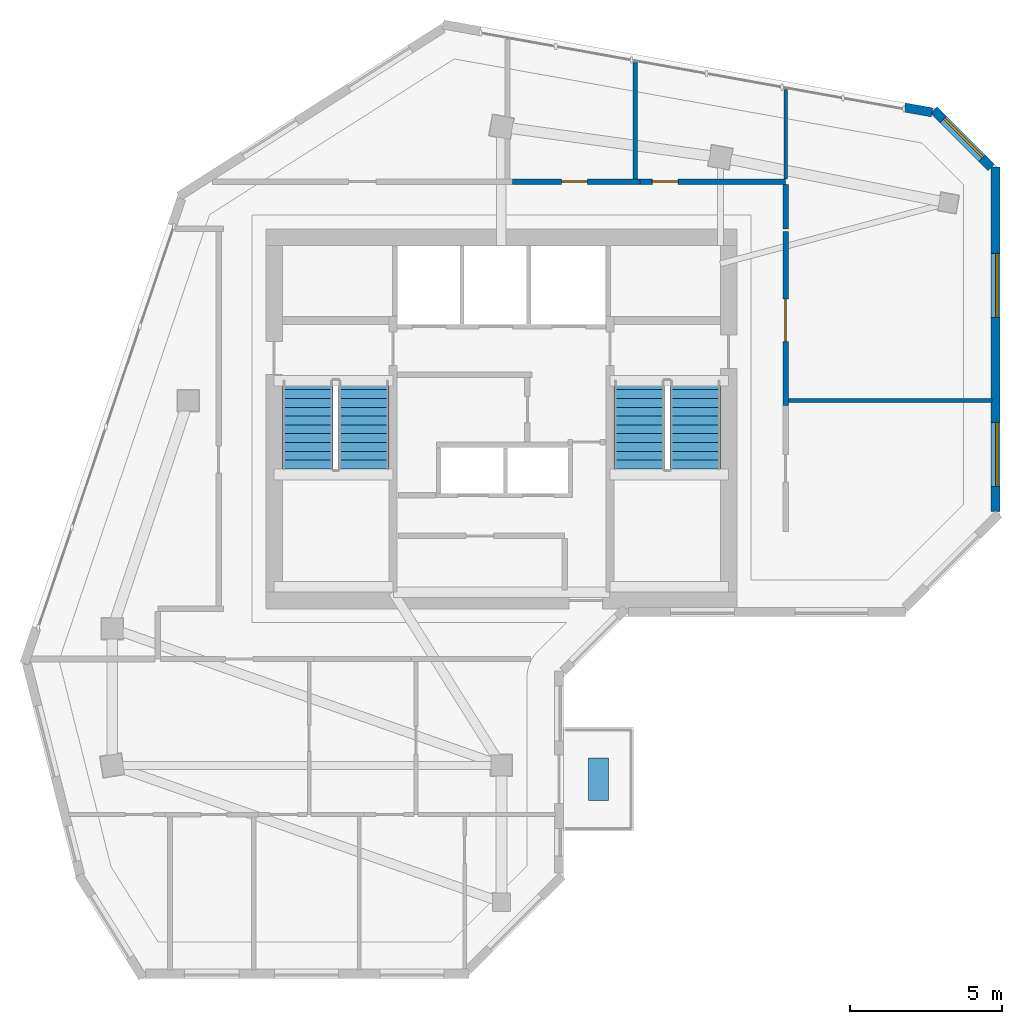
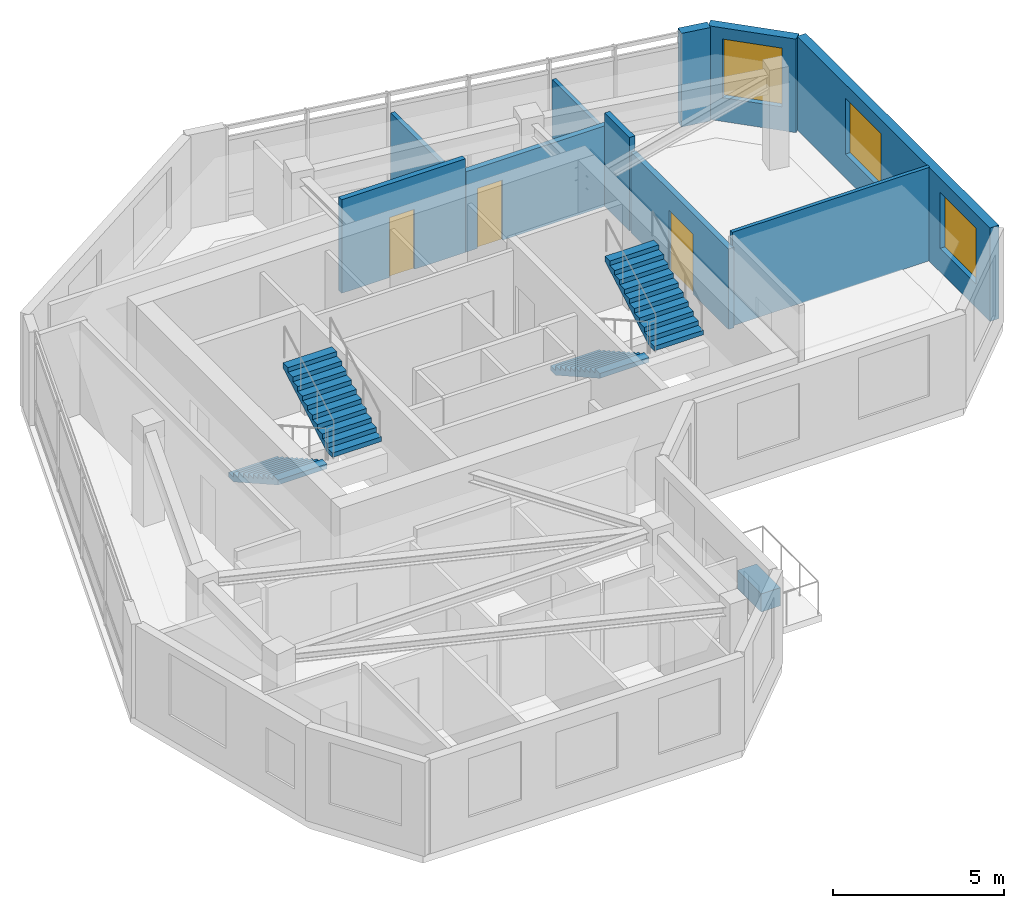
# One storey, part 5 of 7: 10 walls, 4 stair flights, 3 doors, 3 windows, 1 discrete accessory, 6 openings, 2 elements without a shape of their own.
"""IFC4 building model written with IfcOpenShell, lengths in metres."""

import ifcopenshell
import ifcopenshell.guid

model = None  # the IFC model being written
_history = None  # IfcOwnerHistory: only IFC2X3 demands one
_inside = {}  # id of a spatial element -> (the spatial element, [elements in it])
_under = {}  # id of a project, library or spatial element -> (it, [spatial elements below it])
_declared = {}  # id of a project -> (the project, [libraries it declares])
_typed = {}  # id of a type object -> (the type object, [elements of that type])
_made_of = {}  # id of a material, layer set ... -> (it, [elements and type objects made of it])


def new_model(schema):
    """Start an empty IFC model of exactly this schema.

    Asked for "IFC4X3", IfcOpenShell would pick the latest addendum, in which some entities
    have other attributes; the version numbers below select the first issue.
    IFC2X3 requires an IfcOwnerHistory on every rooted entity: one is made here for all.
    """
    global model, _history
    if schema == "IFC4X3":
        model = ifcopenshell.file(schema_version=(4, 3, 0, 0))
    else:
        model = ifcopenshell.file(schema=schema)
    _inside.clear()
    _under.clear()
    _declared.clear()
    _typed.clear()
    _made_of.clear()
    _history = None
    if model.schema == "IFC2X3":
        org = make("IfcOrganization", Name="unknown")
        user = make(
            "IfcPersonAndOrganization",
            ThePerson=make("IfcPerson", FamilyName="unknown"),
            TheOrganization=org,
        )
        app = make(
            "IfcApplication",
            ApplicationDeveloper=org,
            Version="unknown",
            ApplicationFullName="unknown",
            ApplicationIdentifier="unknown",
        )
        _history = make(
            "IfcOwnerHistory",
            OwningUser=user,
            OwningApplication=app,
            ChangeAction="ADDED",
            CreationDate=0,
        )
    return model


def make(cls, **values):
    """One entity of the class cls with the attributes given. An attribute that is None is left unset."""
    return model.create_entity(
        cls, **{name: value for name, value in values.items() if value is not None}
    )


def rooted(cls, **values):
    """An entity with a GlobalId (a new one), such as an element, a storey or a relation."""
    return make(cls, GlobalId=ifcopenshell.guid.new(), OwnerHistory=_history, **values)


def si_unit(unit_type, name, prefix=None):
    """IfcSIUnit, for example si_unit("LENGTHUNIT", "METRE", prefix="MILLI")."""
    return make("IfcSIUnit", UnitType=unit_type, Prefix=prefix, Name=name)


def assignment(units):
    """IfcUnitAssignment: the units of a project."""
    return None if units is None else make("IfcUnitAssignment", Units=units)


def point(xyz):
    """IfcCartesianPoint."""
    return None if xyz is None else make("IfcCartesianPoint", Coordinates=xyz)


def direction(xyz):
    """IfcDirection."""
    return None if xyz is None else make("IfcDirection", DirectionRatios=xyz)


def frame(location, z_axis=None, x_axis=None):
    """IfcAxis2Placement3D, a coordinate frame: its origin and axes. An axis left out is left unset."""
    return make(
        "IfcAxis2Placement3D",
        Location=point(location),
        Axis=direction(z_axis),
        RefDirection=direction(x_axis),
    )


def frame_2d(location, x_axis=None):
    """IfcAxis2Placement2D, a coordinate frame in the plane: its origin and x axis."""
    return make(
        "IfcAxis2Placement2D", Location=point(location), RefDirection=direction(x_axis)
    )


def origin():
    """The frame at (0, 0, 0) with its axes left unset."""
    return frame((0.0, 0.0, 0.0))


def origin_2d():
    """The frame at (0, 0) in the plane with its x axis left unset."""
    return frame_2d((0.0, 0.0))


def place(relative_to, where):
    """IfcLocalPlacement: puts the frame where relative to a parent placement (None: the world)."""
    return make(
        "IfcLocalPlacement", PlacementRelTo=relative_to, RelativePlacement=where
    )


def context(
    kind, dimensions, precision=None, world=None, true_north=None, identifier=None
):
    """IfcGeometricRepresentationContext, for example the 3D "Model" context."""
    return make(
        "IfcGeometricRepresentationContext",
        ContextIdentifier=identifier,
        ContextType=kind,
        CoordinateSpaceDimension=dimensions,
        Precision=precision,
        WorldCoordinateSystem=world,
        TrueNorth=true_north,
    )


def subcontext(parent, identifier, kind, view, scale=None):
    """IfcGeometricRepresentationSubContext, for example "Body" below "Model"."""
    return make(
        "IfcGeometricRepresentationSubContext",
        ContextIdentifier=identifier,
        ContextType=kind,
        ParentContext=parent,
        TargetScale=scale,
        TargetView=view,
    )


def project(units=None, contexts=None):
    """IfcProject with its units and contexts."""
    return rooted(
        "IfcProject",
        Name="project",
        RepresentationContexts=contexts,
        UnitsInContext=assignment(units),
    )


def spatial(cls, under=None, at=None, **own):
    """A site, building, storey or space (cls), placed at a placement, below another one or the project."""
    s = rooted(cls, ObjectPlacement=at, **own)
    if under is not None:
        _under.setdefault(under.id(), (under, []))[1].append(s)
    return s


def polyline(points):
    """IfcPolyline through the points."""
    return make("IfcPolyline", Points=[point(p) for p in points])


def profile(cls, at=None, kind="AREA", **sizes):
    """A parametric profile (cls). Its sizes go by their IFC names, for example OverallWidth=200.0."""
    return make(cls, ProfileType=kind, Position=at, **sizes)


def rectangle(**sizes):
    """IfcRectangleProfileDef."""
    return profile("IfcRectangleProfileDef", **sizes)


def outline(outer, holes=None, kind="AREA"):
    """IfcArbitraryClosedProfileDef: a profile drawn as a closed curve; with holes, ...WithVoids."""
    if holes is None:
        return make("IfcArbitraryClosedProfileDef", ProfileType=kind, OuterCurve=outer)
    return make(
        "IfcArbitraryProfileDefWithVoids",
        ProfileType=kind,
        OuterCurve=outer,
        InnerCurves=holes,
    )


def extrude(swept, where, along, depth):
    """IfcExtrudedAreaSolid: the profile swept, set in the frame where, extruded along a direction by depth."""
    return make(
        "IfcExtrudedAreaSolid",
        SweptArea=swept,
        Position=where,
        ExtrudedDirection=direction(along),
        Depth=depth,
    )


def shape(context_of_items, identifier, shape_type, items):
    """IfcShapeRepresentation: the items that make up one representation, for example the "Body"."""
    return make(
        "IfcShapeRepresentation",
        ContextOfItems=context_of_items,
        RepresentationIdentifier=identifier,
        RepresentationType=shape_type,
        Items=items,
    )


def source(mapping_origin, context_of_items, identifier, shape_type, items):
    """IfcRepresentationMap: a shape defined once, which mapped items show again and again."""
    return make(
        "IfcRepresentationMap",
        MappingOrigin=mapping_origin,
        MappedRepresentation=shape(context_of_items, identifier, shape_type, items),
    )


def transform(
    local_origin,
    x_axis=None,
    y_axis=None,
    z_axis=None,
    scale=None,
    scale2=None,
    scale3=None,
    uniform=True,
):
    """IfcCartesianTransformationOperator3D, or its non-uniform kind. x_axis, y_axis, z_axis: its Axis1, 2, 3."""
    if uniform:
        return make(
            "IfcCartesianTransformationOperator3D",
            Axis1=direction(x_axis),
            Axis2=direction(y_axis),
            LocalOrigin=point(local_origin),
            Scale=scale,
            Axis3=direction(z_axis),
        )
    return make(
        "IfcCartesianTransformationOperator3DnonUniform",
        Axis1=direction(x_axis),
        Axis2=direction(y_axis),
        LocalOrigin=point(local_origin),
        Scale=scale,
        Axis3=direction(z_axis),
        Scale2=scale2,
        Scale3=scale3,
    )


def mapped(mapping_source, mapping_target):
    """IfcMappedItem: shows the shape of a source again, moved by a transform."""
    return make(
        "IfcMappedItem", MappingSource=mapping_source, MappingTarget=mapping_target
    )


def material(Name=None, Category=None):
    """IfcMaterial."""
    return make("IfcMaterial", Name=Name, Category=Category)


def layer(
    of_material, thickness, ventilated=None, Name=None, Category=None, Priority=None
):
    """IfcMaterialLayer: one layer of a wall or slab, of a material (None: an air gap)."""
    return make(
        "IfcMaterialLayer",
        Material=of_material,
        LayerThickness=thickness,
        IsVentilated=ventilated,
        Name=Name,
        Category=Category,
        Priority=Priority,
    )


def layer_set(layers, Name=None):
    """IfcMaterialLayerSet."""
    return make("IfcMaterialLayerSet", MaterialLayers=layers, LayerSetName=Name)


def made_of(thing, what):
    """Note that an element or type object is made of a material, layer set ...; save() writes the relation."""
    if what is not None:
        _made_of.setdefault(what.id(), (what, []))[1].append(thing)
    return thing


def type_object(cls, material=None, **own):
    """A type object (cls), such as IfcWallType, which elements share."""
    return made_of(rooted(cls, **own), material)


def element(
    cls,
    number,
    at=None,
    inside=None,
    cuts=None,
    type_object=None,
    material=None,
    context=None,
    identifier="Body",
    shape_type=None,
    held_by="IfcProductDefinitionShape",
    body=None,
    shapes=None,
    **own,
):
    """One element of the class cls, such as IfcWall. Its Tag is "e" and its number.

    at: its placement. inside: the storey or other place that contains it. cuts: it is an
    opening in that element (IfcRelVoidsElement). A single representation is given by context,
    identifier, shape_type and body (its items); several are given by shapes. held_by: the class
    of the entity that holds the representations. save() writes the other relations.
    """
    e = rooted(cls, Tag="e%d" % number, ObjectPlacement=at, **own)
    if body is not None:
        shapes = [shape(context, identifier, shape_type, body)]
    if shapes is not None:
        e.Representation = make(held_by, Representations=shapes)
    if inside is not None:
        _inside.setdefault(inside.id(), (inside, []))[1].append(e)
    if cuts is not None:
        rooted(
            "IfcRelVoidsElement", RelatingBuildingElement=cuts, RelatedOpeningElement=e
        )
    if type_object is not None:
        _typed.setdefault(type_object.id(), (type_object, []))[1].append(e)
    return made_of(e, material)


def fill(opening, filler):
    """IfcRelFillsElement: the door or window that sits in an opening."""
    return rooted(
        "IfcRelFillsElement",
        RelatingOpeningElement=opening,
        RelatedBuildingElement=filler,
    )


def aggregate(whole, parts):
    """IfcRelAggregates: a whole, such as a stair, and the parts it consists of."""
    return rooted("IfcRelAggregates", RelatingObject=whole, RelatedObjects=parts)


def save(model, path):
    """Write the relations noted so far, then the file.

    IfcRelAggregates (storeys below a building ...), IfcRelContainedInSpatialStructure (elements
    in a storey), IfcRelDefinesByType, IfcRelAssociatesMaterial and IfcRelDeclares: one each for
    every whole, place, type object, material and project.
    """
    for whole, parts in _under.values():
        aggregate(whole, parts)
    for where, things in _inside.values():
        rooted(
            "IfcRelContainedInSpatialStructure",
            RelatedElements=things,
            RelatingStructure=where,
        )
    for kind, things in _typed.values():
        rooted("IfcRelDefinesByType", RelatedObjects=things, RelatingType=kind)
    for what, things in _made_of.values():
        rooted("IfcRelAssociatesMaterial", RelatedObjects=things, RelatingMaterial=what)
    for by, libraries in _declared.values():
        rooted("IfcRelDeclares", RelatingContext=by, RelatedDefinitions=libraries)
    model.write(path)


model = new_model("IFC4")

# Units and contexts
model_context = context("Model", 3, precision=1e-05, world=origin(), true_north=direction((0.0, 1.0)))
body_context = subcontext(model_context, "Body", "Model", "MODEL_VIEW")
ifc_project = project(units=[si_unit("LENGTHUNIT", "METRE"), si_unit("AREAUNIT", "SQUARE_METRE"), si_unit("VOLUMEUNIT", "CUBIC_METRE"), si_unit("PLANEANGLEUNIT", "RADIAN"), si_unit("MASSUNIT", "GRAM", prefix="KILO")], contexts=[model_context])

# Site, building, storey
site_placement = place(None, origin())
site = spatial("IfcSite", under=ifc_project, at=site_placement, CompositionType="ELEMENT")
building_placement = place(site_placement, origin())
building = spatial("IfcBuilding", under=site, at=building_placement, Name="Calvemar Wedge Station Tower", CompositionType="ELEMENT")
storey_placement = place(building_placement, frame((0.0, 0.0, 285.300048828125)))
storey = spatial("IfcBuildingStorey", under=building, at=storey_placement, Name="L73", CompositionType="ELEMENT", Elevation=285.300048828125)

# Wall, opening, door
ifc_material_1 = material(Name="Double-stud fire-rated corridor partition")
ifc_layer_1 = layer(ifc_material_1, 0.179931640625)
ifc_layer_set_1 = layer_set([ifc_layer_1], Name="Double-stud fire-rated corridor partition")
wall_type_1 = type_object("IfcWallType", Name="W-CORR-180", PredefinedType="PARTITIONING", material=ifc_layer_set_1)
wall_1_placement = place(storey_placement, frame((24.162109375, 47.699951171875, 0.0), z_axis=(0.0, 0.0, 1.0), x_axis=(1.0, 0.0, 0.0)))
wall_1 = element("IfcWall", 1, at=wall_1_placement, inside=storey, type_object=wall_type_1, Name="Storey L73 Interior Partition WL-L73-015", PredefinedType="PARTITIONING", context=body_context, shape_type="SweptSolid", body=[
    extrude(rectangle(XDim=4.197998046875, YDim=0.179931640625, at=frame_2d((2.09912109375, 0.0))), origin(), (0.0, 0.0, 1.0), 3.349853515625),
])
shared_shape_1 = source(origin(), body_context, "Body", "SweptSolid", [
    extrude(rectangle(XDim=0.85009765625, YDim=2.14990234375, at=frame_2d((0.425048828125, 1.074951171875))), frame((0.0, 0.10009765625, 0.0), z_axis=(0.0, -1.0, 0.0), x_axis=(1.0, 0.0, 0.0)), (0.0, 0.0, 1.0), 0.199951171875),
])
opening_1_placement = place(wall_1_placement, frame((1.61328125, 0.0, 0.0)))
opening_1 = element("IfcOpeningElement", 2, at=opening_1_placement, cuts=wall_1, Name="Opening D-02", PredefinedType="OPENING", context=body_context, shape_type="MappedRepresentation", body=[
    mapped(shared_shape_1, transform((0.0, 0.0, 0.0), scale=1.0)),
])
ifc_material_2 = material(Name="Moisture-sealed bathroom hardwood swing door", Category="wood")
door_type_1 = type_object("IfcDoorType", Name="DR-WET-850", OperationType="NOTDEFINED", PredefinedType="DOOR", material=ifc_material_2)
shared_shape_2 = source(origin(), body_context, "Body", "SweptSolid", [
    extrude(rectangle(XDim=0.85009765625, YDim=2.14990234375, at=frame_2d((0.425048828125, 1.074951171875))), frame((0.0, 0.02490234375, 0.0), z_axis=(0.0, -1.0, 0.0), x_axis=(1.0, 0.0, 0.0)), (0.0, 0.0, 1.0), 0.050048828125),
])
door_1_placement = place(opening_1_placement, origin())
door_1 = element("IfcDoor", 3, at=door_1_placement, inside=storey, type_object=door_type_1, Name="L73 Accessible WC Door", OperationType="SINGLE_SWING_RIGHT", OverallHeight=2.14990234375, OverallWidth=0.85009765625, PredefinedType="DOOR", context=body_context, shape_type="MappedRepresentation", body=[
    mapped(shared_shape_2, transform((0.0, 0.0, 0.0), scale=1.0)),
])
fill(opening_1, door_1)

wall_2_placement = place(storey_placement, frame((28.362060546875, 47.699951171875, 0.0), z_axis=(0.0, 0.0, 1.0), x_axis=(1.0, 0.0, 0.0)))
wall_2 = element("IfcWall", 4, at=wall_2_placement, inside=storey, type_object=wall_type_1, Name="Storey L73 Interior Partition WL-L73-016", PredefinedType="PARTITIONING", context=body_context, shape_type="SweptSolid", body=[
    extrude(rectangle(XDim=4.787841796875, YDim=0.179931640625, at=frame_2d((2.39404296875, 0.0))), origin(), (0.0, 0.0, 1.0), 2.87890625),
])
opening_2_placement = place(wall_2_placement, frame((0.400634765625, 0.0, 0.0)))
opening_2 = element("IfcOpeningElement", 5, at=opening_2_placement, cuts=wall_2, Name="Opening D-02", PredefinedType="OPENING", context=body_context, shape_type="MappedRepresentation", body=[
    mapped(shared_shape_1, transform((0.0, 0.0, 0.0), scale=1.0)),
])
door_2_placement = place(opening_2_placement, origin())
door_2 = element("IfcDoor", 6, at=door_2_placement, inside=storey, type_object=door_type_1, Name="L73 Storage Room Door", OperationType="SINGLE_SWING_LEFT", OverallHeight=2.14990234375, OverallWidth=0.85009765625, PredefinedType="DOOR", context=body_context, shape_type="MappedRepresentation", body=[
    mapped(shared_shape_2, transform((0.0, 0.0, 0.0), scale=1.0)),
])
fill(opening_2, door_2)

# Wall
wall_3_placement = place(storey_placement, frame((33.14990234375, 47.60595703125, 0.0), z_axis=(0.0, 0.0, 1.0), x_axis=(0.0, -1.0, 0.0)))
element("IfcWall", 7, at=wall_3_placement, inside=storey, type_object=wall_type_1, Name="Storey L73 Interior Partition WL-L73-017", PredefinedType="PARTITIONING", context=body_context, shape_type="SweptSolid", body=[
    extrude(rectangle(XDim=1.4560546875, YDim=0.179931640625, at=frame_2d((0.72802734375, 0.0))), origin(), (0.0, 0.0, 1.0), 3.349853515625),
])

# Wall, opening, door
wall_4_placement = place(storey_placement, frame((33.14990234375, 46.055908203125, 0.0), z_axis=(0.0, 0.0, 1.0), x_axis=(0.0, -1.0, 0.0)))
wall_4 = element("IfcWall", 8, at=wall_4_placement, inside=storey, type_object=wall_type_1, Name="Storey L73 Interior Partition WL-L73-018", PredefinedType="PARTITIONING", context=body_context, shape_type="SweptSolid", body=[
    extrude(rectangle(XDim=5.7158203125, YDim=0.179931640625, at=frame_2d((2.85791015625, 0.0))), origin(), (0.0, 0.0, 1.0), 2.87890625),
])
shared_shape_3 = source(origin(), body_context, "Body", "SweptSolid", [
    extrude(rectangle(XDim=1.39990234375, YDim=2.14990234375, at=frame_2d((0.699951171875, 1.074951171875))), frame((0.0, 0.10009765625, 0.0), z_axis=(0.0, -1.0, 0.0), x_axis=(1.0, 0.0, 0.0)), (0.0, 0.0, 1.0), 0.199951171875),
])
opening_3_placement = place(wall_4_placement, frame((2.218505859375, 0.0, 0.0)))
opening_3 = element("IfcOpeningElement", 9, at=opening_3_placement, cuts=wall_4, Name="Opening DD-140", PredefinedType="OPENING", context=body_context, shape_type="MappedRepresentation", body=[
    mapped(shared_shape_3, transform((0.0, 0.0, 0.0), scale=1.0)),
])
ifc_material_3 = material(Name="Double-leaf corridor acoustic fire door EI 60")
door_type_2 = type_object("IfcDoorType", Name="DR-DBL-1400", OperationType="DOUBLE_DOOR_SINGLE_SWING", PredefinedType="DOOR", material=ifc_material_3)
shared_shape_4 = source(origin(), body_context, "Body", "SweptSolid", [
    extrude(rectangle(XDim=1.39990234375, YDim=2.14990234375, at=frame_2d((0.699951171875, 1.074951171875))), frame((0.0, 0.02490234375, 0.0), z_axis=(0.0, -1.0, 0.0), x_axis=(1.0, 0.0, 0.0)), (0.0, 0.0, 1.0), 0.050048828125),
])
door_3_placement = place(opening_3_placement, origin())
door_3 = element("IfcDoor", 10, at=door_3_placement, inside=storey, type_object=door_type_2, Name="L73 Observatory Wellness Lounge Door", OperationType="SINGLE_SWING_RIGHT", OverallHeight=2.14990234375, OverallWidth=1.39990234375, PredefinedType="DOOR", context=body_context, shape_type="MappedRepresentation", body=[
    mapped(shared_shape_4, transform((0.0, 0.0, 0.0), scale=1.0)),
])
fill(opening_3, door_3)

# Wall, openings, windows
ifc_material_4 = material(Name="Precast concrete C45", Category="concrete")
ifc_layer_2 = layer(ifc_material_4, 0.300048828125)
ifc_layer_set_2 = layer_set([ifc_layer_2], Name="Precast concrete C45")
wall_type_2 = type_object("IfcWallType", Name="W-EXT-GFRC-300", PredefinedType="SOLIDWALL", material=ifc_layer_set_2)
wall_5_placement = place(storey_placement, frame((40.050048828125, 36.857421875, 0.0), z_axis=(0.0, 0.0, 1.0), x_axis=(0.0, 1.0, 0.0)))
wall_5 = element("IfcWall", 11, at=wall_5_placement, inside=storey, type_object=wall_type_2, Name="Storey L73 Bronze GFRC Exterior Wall 8", PredefinedType="SOLIDWALL", context=body_context, shape_type="SweptSolid", body=[
    extrude(rectangle(XDim=11.318359375, YDim=0.300048828125, at=frame_2d((5.6591796875, 0.0))), origin(), (0.0, 0.0, 1.0), 3.349853515625),
])
shared_shape_5 = source(origin(), body_context, "Body", "SweptSolid", [
    extrude(rectangle(XDim=2.10009765625, YDim=2.0, at=frame_2d((1.050048828125, 1.0))), frame((0.0, 0.16015625, 0.0), z_axis=(0.0, -1.0, 0.0), x_axis=(1.0, 0.0, 0.0)), (0.0, 0.0, 1.0), 0.320068359375),
])
opening_4_placement = place(wall_5_placement, frame((0.821044921875, 0.0, 0.85009765625)))
opening_4 = element("IfcOpeningElement", 12, at=opening_4_placement, cuts=wall_5, Name="Opening W4", PredefinedType="OPENING", context=body_context, shape_type="MappedRepresentation", body=[
    mapped(shared_shape_5, transform((0.0, 0.0, 0.0), scale=1.0)),
])
opening_5_placement = place(wall_5_placement, frame((6.381103515625, 0.0, 0.85009765625)))
opening_5 = element("IfcOpeningElement", 13, at=opening_5_placement, cuts=wall_5, Name="Opening W4", PredefinedType="OPENING", context=body_context, shape_type="MappedRepresentation", body=[
    mapped(shared_shape_5, transform((0.0, 0.0, 0.0), scale=1.0)),
])
ifc_material_5 = material(Name="Low-E laminated insulated glass", Category="glass")
window_type_1 = type_object("IfcWindowType", Name="WIN-EXT-4", PartitioningType="SINGLE_PANEL", PredefinedType="WINDOW", material=ifc_material_5)
shared_shape_6 = source(origin(), body_context, "Body", "SweptSolid", [
    extrude(rectangle(XDim=2.10009765625, YDim=2.0, at=frame_2d((1.050048828125, 1.0))), frame((0.0, -0.014892578125, 0.0), z_axis=(0.0, -1.0, 0.0), x_axis=(1.0, 0.0, 0.0)), (0.0, 0.0, 1.0), 0.06005859375),
])
window_1_placement = place(opening_4_placement, origin())
window_1 = element("IfcWindow", 14, at=window_1_placement, inside=storey, type_object=window_type_1, Name="Storey L73 Recessed Window 8.1", OverallHeight=2.0, OverallWidth=2.10009765625, PartitioningType="SINGLE_PANEL", PredefinedType="WINDOW", context=body_context, shape_type="MappedRepresentation", body=[
    mapped(shared_shape_6, transform((0.0, 0.0, 0.0), scale=1.0)),
])
fill(opening_4, window_1)
window_2_placement = place(opening_5_placement, origin())
window_2 = element("IfcWindow", 15, at=window_2_placement, inside=storey, type_object=window_type_1, Name="Storey L73 Recessed Window 8.2", OverallHeight=2.0, OverallWidth=2.10009765625, PartitioningType="SINGLE_PANEL", PredefinedType="WINDOW", context=body_context, shape_type="MappedRepresentation", body=[
    mapped(shared_shape_6, transform((0.0, 0.0, 0.0), scale=1.0)),
])
fill(opening_5, window_2)

# Wall, opening, window
wall_6_placement = place(storey_placement, frame((39.912109375, 48.163818359375, 0.0), z_axis=(0.0, 0.0, 1.0), x_axis=(-0.70715242601, 0.707061133417, 0.0)))
wall_6 = element("IfcWall", 16, at=wall_6_placement, inside=storey, type_object=wall_type_2, Name="Storey L73 Bronze GFRC Exterior Wall 9", PredefinedType="SOLIDWALL", context=body_context, shape_type="SweptSolid", body=[
    extrude(rectangle(XDim=2.67431640625, YDim=0.300048828125, at=frame_2d((1.337158203125, 0.0))), origin(), (0.0, 0.0, 1.0), 3.349853515625),
])
shared_shape_7 = source(origin(), body_context, "Body", "SweptSolid", [
    extrude(rectangle(XDim=1.800048828125, YDim=2.10009765625, at=frame_2d((0.89990234375, 1.050048828125))), frame((0.0, 0.16015625, 0.0), z_axis=(0.0, -1.0, 0.0), x_axis=(1.0, 0.0, 0.0)), (0.0, 0.0, 1.0), 0.320068359375),
])
opening_6_placement = place(wall_6_placement, frame((0.43701171875, 0.0, 0.85009765625)))
opening_6 = element("IfcOpeningElement", 17, at=opening_6_placement, cuts=wall_6, Name="Opening W2", PredefinedType="OPENING", context=body_context, shape_type="MappedRepresentation", body=[
    mapped(shared_shape_7, transform((0.0, 0.0, 0.0), scale=1.0)),
])
window_type_2 = type_object("IfcWindowType", Name="WIN-EXT-2", PartitioningType="SINGLE_PANEL", PredefinedType="WINDOW", material=ifc_material_5)
shared_shape_8 = source(origin(), body_context, "Body", "SweptSolid", [
    extrude(rectangle(XDim=1.800048828125, YDim=2.10009765625, at=frame_2d((0.89990234375, 1.050048828125))), frame((0.0, -0.014892578125, 0.0), z_axis=(0.0, -1.0, 0.0), x_axis=(1.0, 0.0, 0.0)), (0.0, 0.0, 1.0), 0.06005859375),
])
window_3_placement = place(opening_6_placement, origin())
window_3 = element("IfcWindow", 18, at=window_3_placement, inside=storey, type_object=window_type_2, Name="Storey L73 Recessed Window 9.1", OverallHeight=2.10009765625, OverallWidth=1.800048828125, PartitioningType="SINGLE_PANEL", PredefinedType="WINDOW", context=body_context, shape_type="MappedRepresentation", body=[
    mapped(shared_shape_8, transform((0.0, 0.0, 0.0), scale=1.0)),
])
fill(opening_6, window_3)

# Walls
wall_7_placement = place(storey_placement, frame((37.961669921875, 49.978515625, 0.0), z_axis=(0.0, 0.0, 1.0), x_axis=(-0.984215051171, 0.176976645491, 0.0)))
element("IfcWall", 19, at=wall_7_placement, inside=storey, type_object=wall_type_2, Name="Storey L73 Bronze GFRC Corner Pier 10A", PredefinedType="SOLIDWALL", context=body_context, shape_type="SweptSolid", body=[
    extrude(rectangle(XDim=0.911865234375, YDim=0.300048828125, at=frame_2d((0.4560546875, 0.0))), origin(), (0.0, 0.0, 1.0), 3.349853515625),
])
ifc_material_6 = material(Name="Insulated acoustic gypsum stud partition")
ifc_layer_3 = layer(ifc_material_6, 0.125)
ifc_layer_set_3 = layer_set([ifc_layer_3], Name="Insulated acoustic gypsum stud partition")
wall_type_3 = type_object("IfcWallType", Name="W-PART-125", PredefinedType="PARTITIONING", material=ifc_layer_set_3)
wall_8_placement = place(storey_placement, frame((33.14990234375, 50.7265625, 0.0), z_axis=(0.0, 0.0, 1.0), x_axis=(0.0, -1.0, 0.0)))
element("IfcWall", 20, at=wall_8_placement, inside=storey, type_object=wall_type_3, Name="Storey L73 Interior Partition WL-L73-023", PredefinedType="PARTITIONING", context=body_context, shape_type="SweptSolid", body=[
    extrude(rectangle(XDim=2.9326171875, YDim=0.125, at=frame_2d((1.46630859375, 0.0))), origin(), (0.0, 0.0, 1.0), 2.641845703125),
])
wall_9_placement = place(storey_placement, frame((39.93505859375, 40.5, 0.0), z_axis=(0.0, 0.0, 1.0), x_axis=(-1.0, 0.0, 0.0)))
element("IfcWall", 21, at=wall_9_placement, inside=storey, type_object=wall_type_3, Name="Storey L73 Interior Partition WL-L73-024", PredefinedType="PARTITIONING", context=body_context, shape_type="SweptSolid", body=[
    extrude(rectangle(XDim=6.691162109375, YDim=0.125, at=frame_2d((3.345703125, 0.0))), origin(), (0.0, 0.0, 1.0), 3.349853515625),
])
ifc_material_7 = material(Name="Moisture-resistant acoustic bathroom partition")
ifc_layer_4 = layer(ifc_material_7, 0.14990234375)
ifc_layer_set_4 = layer_set([ifc_layer_4], Name="Moisture-resistant acoustic bathroom partition")
wall_type_4 = type_object("IfcWallType", Name="W-WET-150", PredefinedType="PARTITIONING", material=ifc_layer_set_4)
wall_10_placement = place(storey_placement, frame((28.199951171875, 51.6162109375, 0.0), z_axis=(0.0, 0.0, 1.0), x_axis=(0.0, -1.0, 0.0)))
element("IfcWall", 22, at=wall_10_placement, inside=storey, type_object=wall_type_4, Name="Storey L73 Interior Partition WL-L73-022", PredefinedType="PARTITIONING", context=body_context, shape_type="SweptSolid", body=[
    extrude(rectangle(XDim=3.822265625, YDim=0.14990234375, at=frame_2d((1.9111328125, 0.0))), origin(), (0.0, 0.0, 1.0), 2.641845703125),
])

# Stair, stair flights
ifc_material_8 = material(Name="Concrete C45", Category="concrete")
stair_type = type_object("IfcStairType", Name="ST-TYPE-3600", PredefinedType="HALF_TURN_STAIR", material=ifc_material_8)
stair_1_placement = place(storey_placement, origin())
stair_1 = element("IfcStair", 23, at=stair_1_placement, inside=storey, type_object=stair_type, Name="L73 Pressurized Core Exit Stair ST-C1", PredefinedType="HALF_TURN_STAIR")
stair_flight_type = type_object("IfcStairFlightType", Name="STF-TYPE-3600", PredefinedType="STRAIGHT", material=ifc_material_8)
stair_flight_1_placement = place(storey_placement, frame((17.429931640625, 41.14990234375, 0.0), z_axis=(0.0, 0.0, 1.0), x_axis=(0.0, -1.0, 0.0)))
stair_flight_1 = element("IfcStairFlight", 24, at=stair_flight_1_placement, type_object=stair_flight_type, Name="ST-C1 flight 1", NumberOfRisers=11, NumberOfTreads=10, PredefinedType="STRAIGHT", RiserHeight=0.163636364, TreadLength=0.29, context=body_context, shape_type="SweptSolid", body=[
    extrude(outline(polyline([(0.0, 0.0), (0.0, 0.16357421875), (0.2900390625, 0.16357421875), (0.2900390625, 0.327392578125), (0.580078125, 0.327392578125), (0.580078125, 0.490966796875), (0.8701171875, 0.490966796875), (0.8701171875, 0.654541015625), (1.159912109375, 0.654541015625), (1.159912109375, 0.818115234375), (1.449951171875, 0.818115234375), (1.449951171875, 0.98193359375), (1.739990234375, 0.98193359375), (1.739990234375, 1.1455078125), (2.030029296875, 1.1455078125), (2.030029296875, 1.30908203125), (2.320068359375, 1.30908203125), (2.320068359375, 1.47265625), (2.610107421875, 1.47265625), (2.610107421875, 1.636474609375), (2.89990234375, 1.636474609375), (2.89990234375, 1.800048828125), (2.89990234375, 1.46435546875), (0.304931640625, 0.0), (0.0, 0.0)])), frame((0.0, 0.830078125, 0.0), z_axis=(0.0, -1.0, 0.0), x_axis=(1.0, 0.0, 0.0)), (0.0, 0.0, 1.0), 1.659912109375),
])
stair_flight_2_placement = place(storey_placement, frame((19.27001953125, 38.25, 1.800048828125), z_axis=(0.0, 0.0, 1.0), x_axis=(0.0, 1.0, 0.0)))
stair_flight_2 = element("IfcStairFlight", 25, at=stair_flight_2_placement, type_object=stair_flight_type, Name="ST-C1 flight 2", NumberOfRisers=11, NumberOfTreads=10, PredefinedType="STRAIGHT", RiserHeight=0.163636364, TreadLength=0.29, context=body_context, shape_type="SweptSolid", body=[
    extrude(outline(polyline([(0.0, 0.0), (0.0, 0.16357421875), (0.2900390625, 0.16357421875), (0.2900390625, 0.327392578125), (0.580078125, 0.327392578125), (0.580078125, 0.490966796875), (0.8701171875, 0.490966796875), (0.8701171875, 0.654541015625), (1.159912109375, 0.654541015625), (1.159912109375, 0.818115234375), (1.449951171875, 0.818115234375), (1.449951171875, 0.98193359375), (1.739990234375, 0.98193359375), (1.739990234375, 1.1455078125), (2.030029296875, 1.1455078125), (2.030029296875, 1.30908203125), (2.320068359375, 1.30908203125), (2.320068359375, 1.47265625), (2.610107421875, 1.47265625), (2.610107421875, 1.636474609375), (2.89990234375, 1.636474609375), (2.89990234375, 1.800048828125), (2.89990234375, 1.46435546875), (0.304931640625, 0.0), (0.0, 0.0)])), frame((0.0, 0.830078125, 0.0), z_axis=(0.0, -1.0, 0.0), x_axis=(1.0, 0.0, 0.0)), (0.0, 0.0, 1.0), 1.659912109375),
])
aggregate(stair_1, [stair_flight_1, stair_flight_2])

stair_2_placement = place(storey_placement, origin())
stair_2 = element("IfcStair", 26, at=stair_2_placement, inside=storey, type_object=stair_type, Name="L73 Pressurized Core Exit Stair ST-C2", PredefinedType="HALF_TURN_STAIR")
stair_flight_3_placement = place(storey_placement, frame((28.330078125, 41.14990234375, 0.0), z_axis=(0.0, 0.0, 1.0), x_axis=(0.0, -1.0, 0.0)))
stair_flight_3 = element("IfcStairFlight", 27, at=stair_flight_3_placement, type_object=stair_flight_type, Name="ST-C2 flight 1", NumberOfRisers=11, NumberOfTreads=10, PredefinedType="STRAIGHT", RiserHeight=0.163636364, TreadLength=0.29, context=body_context, shape_type="SweptSolid", body=[
    extrude(outline(polyline([(0.0, 0.0), (0.0, 0.16357421875), (0.2900390625, 0.16357421875), (0.2900390625, 0.327392578125), (0.580078125, 0.327392578125), (0.580078125, 0.490966796875), (0.8701171875, 0.490966796875), (0.8701171875, 0.654541015625), (1.159912109375, 0.654541015625), (1.159912109375, 0.818115234375), (1.449951171875, 0.818115234375), (1.449951171875, 0.98193359375), (1.739990234375, 0.98193359375), (1.739990234375, 1.1455078125), (2.030029296875, 1.1455078125), (2.030029296875, 1.30908203125), (2.320068359375, 1.30908203125), (2.320068359375, 1.47265625), (2.610107421875, 1.47265625), (2.610107421875, 1.636474609375), (2.89990234375, 1.636474609375), (2.89990234375, 1.800048828125), (2.89990234375, 1.46435546875), (0.304931640625, 0.0), (0.0, 0.0)])), frame((0.0, 0.830078125, 0.0), z_axis=(0.0, -1.0, 0.0), x_axis=(1.0, 0.0, 0.0)), (0.0, 0.0, 1.0), 1.659912109375),
])
stair_flight_4_placement = place(storey_placement, frame((30.169921875, 38.25, 1.800048828125), z_axis=(0.0, 0.0, 1.0), x_axis=(0.0, 1.0, 0.0)))
stair_flight_4 = element("IfcStairFlight", 28, at=stair_flight_4_placement, type_object=stair_flight_type, Name="ST-C2 flight 2", NumberOfRisers=11, NumberOfTreads=10, PredefinedType="STRAIGHT", RiserHeight=0.163636364, TreadLength=0.29, context=body_context, shape_type="SweptSolid", body=[
    extrude(outline(polyline([(0.0, 0.0), (0.0, 0.16357421875), (0.2900390625, 0.16357421875), (0.2900390625, 0.327392578125), (0.580078125, 0.327392578125), (0.580078125, 0.490966796875), (0.8701171875, 0.490966796875), (0.8701171875, 0.654541015625), (1.159912109375, 0.654541015625), (1.159912109375, 0.818115234375), (1.449951171875, 0.818115234375), (1.449951171875, 0.98193359375), (1.739990234375, 0.98193359375), (1.739990234375, 1.1455078125), (2.030029296875, 1.1455078125), (2.030029296875, 1.30908203125), (2.320068359375, 1.30908203125), (2.320068359375, 1.47265625), (2.610107421875, 1.47265625), (2.610107421875, 1.636474609375), (2.89990234375, 1.636474609375), (2.89990234375, 1.800048828125), (2.89990234375, 1.46435546875), (0.304931640625, 0.0), (0.0, 0.0)])), frame((0.0, 0.830078125, 0.0), z_axis=(0.0, -1.0, 0.0), x_axis=(1.0, 0.0, 0.0)), (0.0, 0.0, 1.0), 1.659912109375),
])
aggregate(stair_2, [stair_flight_3, stair_flight_4])

# Discrete accessory
discrete_accessory_type = type_object("IfcDiscreteAccessoryType", Name="ACC-PLANTER", PredefinedType="USERDEFINED", material=ifc_material_4)
shared_shape_9 = source(origin(), body_context, "Body", "SweptSolid", [
    extrude(rectangle(XDim=0.64990234375, YDim=1.39990234375, at=origin_2d()), origin(), (0.0, 0.0, 1.0), 0.64990234375),
])
discrete_accessory_placement = place(storey_placement, frame((26.989990234375, 28.050048828125, 0.0), z_axis=(0.0, 0.0, 1.0), x_axis=(1.0, 0.0, 0.0)))
element("IfcDiscreteAccessory", 29, at=discrete_accessory_placement, inside=storey, type_object=discrete_accessory_type, Name="Storey L73 Planted Terrace GFRC Planter", ObjectType="PLANTER", PredefinedType="USERDEFINED", context=body_context, shape_type="MappedRepresentation", body=[
    mapped(shared_shape_9, transform((0.0, 0.0, 0.0), scale=1.0)),
])

save(model, "model.ifc")
